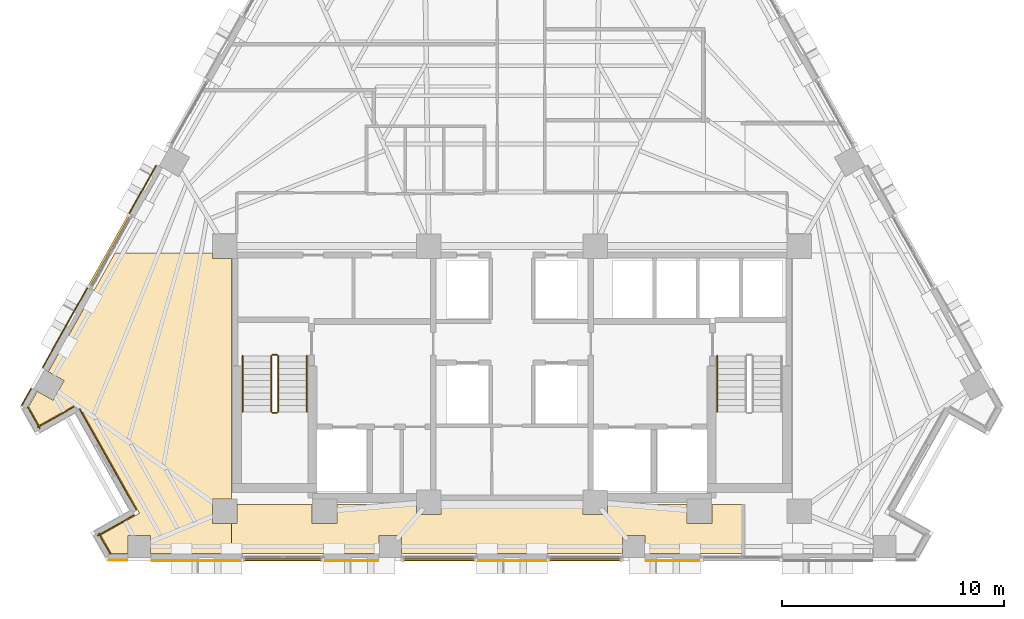
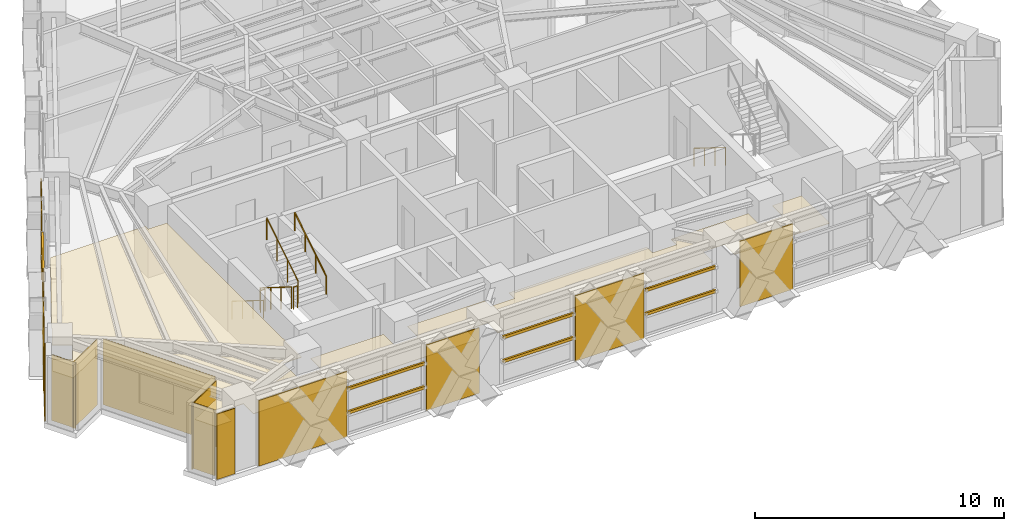
# One storey, part 11 of 14: 15 coverings, 8 shading devices, 7 railings.
"""IFC4 building model written with IfcOpenShell, lengths in metres."""

from ifc_helpers import new_model, si_unit, direction, frame, origin, origin_2d, place, context, subcontext, project, spatial, polyline, rectangle, circle, outline, extrude, material, layer, layer_set, material_profile, profile_set, type_object, element, save


model = new_model("IFC4")

# Units and contexts
model_context = context("Model", 3, precision=1e-05, world=origin(), true_north=direction((0.0, 1.0)))
body_context = subcontext(model_context, "Body", "Model", "MODEL_VIEW")
ifc_project = project(units=[si_unit("LENGTHUNIT", "METRE"), si_unit("AREAUNIT", "SQUARE_METRE"), si_unit("VOLUMEUNIT", "CUBIC_METRE"), si_unit("PLANEANGLEUNIT", "RADIAN"), si_unit("MASSUNIT", "GRAM", prefix="KILO")], contexts=[model_context])

# Site, building, storey
site_placement = place(None, origin())
site = spatial("IfcSite", under=ifc_project, at=site_placement, CompositionType="ELEMENT")
building_placement = place(site_placement, origin())
building = spatial("IfcBuilding", under=site, at=building_placement, Name="Quenlor Broadcast Tower", CompositionType="ELEMENT")
storey_placement = place(building_placement, frame((0.0, 0.0, 133.5)))
storey = spatial("IfcBuildingStorey", under=building, at=storey_placement, Name="L36", CompositionType="ELEMENT", Elevation=133.5)

# Coverings
ifc_material_1 = material(Name="Acoustic Mineral Fibre Board", Category="other")
ifc_layer_1 = layer(ifc_material_1, 0.02490234375)
ifc_layer_set_1 = layer_set([ifc_layer_1], Name="Acoustic Perforated Mineral Tile Ceiling 25")
covering_type_1 = type_object("IfcCoveringType", Name="Acoustic Perforated Mineral Tile Ceiling 25", PredefinedType="CEILING", material=ifc_layer_set_1)
covering_1_placement = place(storey_placement, frame((0.0, 0.0, 2.375)))
element("IfcCovering", 1, at=covering_1_placement, inside=storey, type_object=covering_type_1, Name="L36 Acoustic Ceiling L36-36-2", PredefinedType="CEILING", context=body_context, shape_type="SweptSolid", body=[
    extrude(outline(polyline([(-21.794921875, -12.0400390625), (-21.406982421875, -11.350341796875), (-20.694091796875, -11.751220703125), (-20.19580078125, -10.86572265625), (-20.90869140625, -10.46484375), (-17.90234375, -5.1201171875), (-13.508056640625, -5.1201171875), (-13.508056640625, -5.35791015625), (-12.64990234375, -5.35791015625), (-12.64990234375, -16.19189453125), (-13.508056640625, -16.19189453125), (-13.508056640625, -17.30810546875), (-12.64990234375, -17.30810546875), (-12.64990234375, -18.659912109375), (-16.30029296875, -18.659912109375), (-16.30029296875, -17.842041015625), (-17.31640625, -17.842041015625), (-17.31640625, -18.659912109375), (-18.071044921875, -18.659912109375), (-18.538818359375, -17.82861328125), (-16.795654296875, -16.847900390625), (-19.580322265625, -11.8974609375), (-21.323486328125, -12.878173828125), (-21.794921875, -12.0400390625)])), origin(), (0.0, 0.0, 1.0), 0.02490234375),
])
covering_2_placement = place(storey_placement, frame((0.0, 0.0, 2.375)))
element("IfcCovering", 2, at=covering_2_placement, inside=storey, type_object=covering_type_1, Name="L36 Acoustic Ceiling L36-36-3", PredefinedType="CEILING", context=body_context, shape_type="SweptSolid", body=[
    extrude(outline(polyline([(-12.39208984375, -17.30810546875), (-12.39208984375, -16.449951171875), (-9.008056640625, -16.449951171875), (-9.008056640625, -17.30810546875), (-7.89208984375, -17.30810546875), (-7.89208984375, -16.449951171875), (-4.30810546875, -16.449951171875), (-4.30810546875, -16.907958984375), (-3.19189453125, -16.907958984375), (-3.19189453125, -16.449951171875), (3.19189453125, -16.449951171875), (3.19189453125, -16.907958984375), (4.30810546875, -16.907958984375), (4.30810546875, -16.449951171875), (7.89208984375, -16.449951171875), (7.89208984375, -17.30810546875), (9.008056640625, -17.30810546875), (9.008056640625, -16.449951171875), (10.38525390625, -16.449951171875), (10.38525390625, -18.659912109375), (5.989013671875, -18.659912109375), (5.989013671875, -17.842041015625), (4.972900390625, -17.842041015625), (4.972900390625, -18.659912109375), (-4.972900390625, -18.659912109375), (-4.972900390625, -17.842041015625), (-5.989013671875, -17.842041015625), (-5.989013671875, -18.659912109375), (-12.64990234375, -18.659912109375), (-12.64990234375, -17.30810546875), (-12.39208984375, -17.30810546875)])), origin(), (0.0, 0.0, 1.0), 0.02490234375),
])

# Shading devices
ifc_material_2 = material(Name="Architectural Terracotta Ceramic", Category="masonry")
ifc_material_profile = material_profile(ifc_material_2, rectangle(XDim=0.090087890625, YDim=0.139892578125, at=origin_2d()))
ifc_profile_set = profile_set([ifc_material_profile], Name="Architectural Terracotta Ceramic BAG90x140")
shading_device_type = type_object("IfcShadingDeviceType", Name="Copper Terracotta Baguette Solar Screen 140", PredefinedType="USERDEFINED", material=ifc_profile_set)
for number, where, z_axis, x_axis, name in (
    (3, (-8.550048828125, -18.952880859375, 1.169921875), (-1.0, 0.0, 0.0), (0.0, -1.0, 0.0), "L36 Terracotta Baguette Screen 1"),
    (4, (-8.550048828125, -18.952880859375, 2.340087890625), (-1.0, 0.0, 0.0), (0.0, -1.0, 0.0), "L36 Terracotta Baguette Screen 2"),
):
    element("IfcShadingDevice", number, at=place(storey_placement, frame(where, z_axis=z_axis, x_axis=x_axis)), inside=storey, type_object=shading_device_type, Name=name, ObjectType="BAGUETTE", PredefinedType="USERDEFINED", context=body_context, shape_type="SweptSolid", body=[
        extrude(rectangle(XDim=0.090087890625, YDim=0.139892578125, at=origin_2d()), origin(), (0.0, 0.0, 1.0), 3.56396484375),
    ])
for number, where, z_axis, x_axis, name in (
    (5, (4.926025390625, -18.952880859375, 1.169921875), (-1.0, 0.0, 0.0), (0.0, -1.0, 0.0), "L36 Terracotta Baguette Screen 1"),
    (6, (4.926025390625, -18.952880859375, 2.340087890625), (-1.0, 0.0, 0.0), (0.0, -1.0, 0.0), "L36 Terracotta Baguette Screen 2"),
    (7, (-1.662109375, -18.952880859375, 1.169921875), (-1.0, 0.0, 0.0), (0.0, -1.0, 0.0), "L36 Terracotta Baguette Screen 1"),
    (8, (-1.662109375, -18.952880859375, 2.340087890625), (-1.0, 0.0, 0.0), (0.0, -1.0, 0.0), "L36 Terracotta Baguette Screen 2"),
):
    element("IfcShadingDevice", number, at=place(storey_placement, frame(where, z_axis=z_axis, x_axis=x_axis)), inside=storey, type_object=shading_device_type, Name=name, ObjectType="BAGUETTE", PredefinedType="USERDEFINED", context=body_context, shape_type="SweptSolid", body=[
        extrude(rectangle(XDim=0.090087890625, YDim=0.139892578125, at=origin_2d()), origin(), (0.0, 0.0, 1.0), 3.263916015625),
    ])
for number, where, z_axis, x_axis, name in (
    (9, (-19.079345703125, -6.61474609375, 1.169921875), (0.490258076222, 0.871577316535, 0.0), (-0.871577316535, 0.490258076222, 0.0), "L36 Terracotta Baguette Screen 1"),
    (10, (-19.079345703125, -6.61474609375, 2.340087890625), (0.490258076222, 0.871577316535, 0.0), (-0.871577316535, 0.490258076222, 0.0), "L36 Terracotta Baguette Screen 2"),
):
    element("IfcShadingDevice", number, at=place(storey_placement, frame(where, z_axis=z_axis, x_axis=x_axis)), inside=storey, type_object=shading_device_type, Name=name, ObjectType="BAGUETTE", PredefinedType="USERDEFINED", context=body_context, shape_type="SweptSolid", body=[
        extrude(rectangle(XDim=0.090087890625, YDim=0.139892578125, at=origin_2d()), origin(), (0.0, 0.0, 1.0), 3.6640625),
    ])

# Coverings
ifc_material_3 = material(Name="Architectural Terracotta Ceramic", Category="masonry")
ifc_layer_2 = layer(ifc_material_3, 0.044921875)
ifc_layer_set_2 = layer_set([ifc_layer_2], Name="Fluted Terracotta Rainscreen Cladding Panel")
covering_type_2 = type_object("IfcCoveringType", Name="Fluted Terracotta Rainscreen Cladding Panel", PredefinedType="CLADDING", material=ifc_layer_set_2)
covering_3_placement = place(storey_placement, frame((0.0, 0.0, 0.02001953125)))
element("IfcCovering", 11, at=covering_3_placement, inside=storey, type_object=covering_type_2, Name="L36 Terracotta Rainscreen Cladding L36-SHD-SS1", PredefinedType="CLADDING", context=body_context, shape_type="SweptSolid", body=[
    extrude(outline(polyline([(-17.343505859375, -18.93701171875), (-18.179931640625, -18.93701171875), (-18.179931640625, -18.98193359375), (-17.343505859375, -18.98193359375), (-17.343505859375, -18.93701171875)])), origin(), (0.0, 0.0, 1.0), 3.2099609375),
])
covering_4_placement = place(storey_placement, frame((0.0, 0.0, 0.02001953125)))
element("IfcCovering", 12, at=covering_4_placement, inside=storey, type_object=covering_type_2, Name="L36 Terracotta Rainscreen Cladding L36-SA-SP2", PredefinedType="CLADDING", context=body_context, shape_type="SweptSolid", body=[
    extrude(outline(polyline([(8.485107421875, -18.95703125), (6.035888671875, -18.95703125), (6.035888671875, -19.001953125), (8.485107421875, -19.001953125), (8.485107421875, -18.95703125)])), origin(), (0.0, 0.0, 1.0), 3.2099609375),
])
covering_5_placement = place(storey_placement, frame((0.0, 0.0, 0.02001953125)))
element("IfcCovering", 13, at=covering_5_placement, inside=storey, type_object=covering_type_2, Name="L36 Terracotta Rainscreen Cladding L36-SC-SP1", PredefinedType="CLADDING", context=body_context, shape_type="SweptSolid", body=[
    extrude(outline(polyline([(-6.035888671875, -18.95703125), (-8.485107421875, -18.95703125), (-8.485107421875, -19.001953125), (-6.035888671875, -19.001953125), (-6.035888671875, -18.95703125)])), origin(), (0.0, 0.0, 1.0), 3.2099609375),
])
covering_6_placement = place(storey_placement, frame((0.0, 0.0, 0.02001953125)))
element("IfcCovering", 14, at=covering_6_placement, inside=storey, type_object=covering_type_2, Name="L36 Terracotta Rainscreen Cladding L36-SC-SP2", PredefinedType="CLADDING", context=body_context, shape_type="SweptSolid", body=[
    extrude(outline(polyline([(-12.178955078125, -18.95703125), (-16.25341796875, -18.95703125), (-16.25341796875, -19.001953125), (-12.178955078125, -19.001953125), (-12.178955078125, -18.95703125)])), origin(), (0.0, 0.0, 1.0), 3.2099609375),
])
covering_7_placement = place(storey_placement, frame((0.0, 0.0, 0.02001953125)))
element("IfcCovering", 15, at=covering_7_placement, inside=storey, type_object=covering_type_2, Name="L36 Terracotta Rainscreen Cladding L36-S-SP1", PredefinedType="CLADDING", context=body_context, shape_type="SweptSolid", body=[
    extrude(outline(polyline([(1.596923828125, -18.95703125), (-1.596923828125, -18.95703125), (-1.596923828125, -19.001953125), (1.596923828125, -19.001953125), (1.596923828125, -18.95703125)])), origin(), (0.0, 0.0, 1.0), 3.2099609375),
])
covering_8_placement = place(storey_placement, frame((0.0, 0.0, 0.02001953125)))
element("IfcCovering", 16, at=covering_8_placement, inside=storey, type_object=covering_type_2, Name="L36 Terracotta Rainscreen Cladding L36-SHD-NWS0", PredefinedType="CLADDING", context=body_context, shape_type="SweptSolid", body=[
    extrude(outline(polyline([(-22.0859375, -11.992431640625), (-21.66162109375, -11.23779296875), (-21.70068359375, -11.2158203125), (-22.125244140625, -11.970458984375), (-22.0859375, -11.992431640625)])), origin(), (0.0, 0.0, 1.0), 3.2099609375),
])
covering_9_placement = place(storey_placement, frame((0.0, 0.0, 0.02001953125)))
element("IfcCovering", 17, at=covering_9_placement, inside=storey, type_object=covering_type_2, Name="L36 Terracotta Rainscreen Cladding L36-NWA-SP1", PredefinedType="CLADDING", context=body_context, shape_type="SweptSolid", body=[
    extrude(outline(polyline([(-21.14453125, -10.278076171875), (-19.11474609375, -6.66943359375), (-19.154052734375, -6.6474609375), (-21.183837890625, -10.256103515625), (-21.14453125, -10.278076171875)])), origin(), (0.0, 0.0, 1.0), 3.2099609375),
])
covering_10_placement = place(storey_placement, frame((0.0, 0.0, 0.02001953125)))
element("IfcCovering", 18, at=covering_10_placement, inside=storey, type_object=covering_type_2, Name="L36 Terracotta Rainscreen Cladding L36-NWA-SP2", PredefinedType="CLADDING", context=body_context, shape_type="SweptSolid", body=[
    extrude(outline(polyline([(-17.254638671875, -3.362548828125), (-16.025146484375, -1.1767578125), (-16.064453125, -1.15478515625), (-17.2939453125, -3.340576171875), (-17.254638671875, -3.362548828125)])), origin(), (0.0, 0.0, 1.0), 3.2099609375),
])
covering_11_placement = place(storey_placement, frame((0.0, 0.0, 0.02001953125)))
element("IfcCovering", 19, at=covering_11_placement, inside=storey, type_object=covering_type_2, Name="L36 Terracotta Rainscreen Cladding L36-CNR-12", PredefinedType="CLADDING", context=body_context, shape_type="SweptSolid", body=[
    extrude(outline(polyline([(-21.864501953125, -12.0546875), (-21.309326171875, -13.0419921875), (-21.27001953125, -13.02001953125), (-21.825439453125, -12.03271484375), (-21.864501953125, -12.0546875)])), origin(), (0.0, 0.0, 1.0), 3.2099609375),
])
covering_12_placement = place(storey_placement, frame((0.0, 0.0, 0.02001953125)))
element("IfcCovering", 20, at=covering_12_placement, inside=storey, type_object=covering_type_2, Name="L36 Terracotta Rainscreen Cladding L36-CNR-13", PredefinedType="CLADDING", context=body_context, shape_type="SweptSolid", body=[
    extrude(outline(polyline([(-21.385986328125, -12.9912109375), (-19.72998046875, -12.059814453125), (-19.752197265625, -12.0205078125), (-21.408203125, -12.9521484375), (-21.385986328125, -12.9912109375)])), origin(), (0.0, 0.0, 1.0), 3.2099609375),
])
covering_13_placement = place(storey_placement, frame((0.0, 0.0, 0.02001953125)))
element("IfcCovering", 21, at=covering_13_placement, inside=storey, type_object=covering_type_2, Name="L36 Terracotta Rainscreen Cladding L36-CNR-14", PredefinedType="CLADDING", context=body_context, shape_type="SweptSolid", body=[
    extrude(outline(polyline([(-19.51708984375, -12.148681640625), (-16.9580078125, -16.6982421875), (-16.918701171875, -16.67626953125), (-19.477783203125, -12.126708984375), (-19.51708984375, -12.148681640625)])), origin(), (0.0, 0.0, 1.0), 3.2099609375),
])
covering_14_placement = place(storey_placement, frame((0.0, 0.0, 0.02001953125)))
element("IfcCovering", 22, at=covering_14_placement, inside=storey, type_object=covering_type_2, Name="L36 Terracotta Rainscreen Cladding L36-CNR-15", PredefinedType="CLADDING", context=body_context, shape_type="SweptSolid", body=[
    extrude(outline(polyline([(-17.046875, -16.911376953125), (-18.702880859375, -17.8427734375), (-18.680908203125, -17.882080078125), (-17.02490234375, -16.950439453125), (-17.046875, -16.911376953125)])), origin(), (0.0, 0.0, 1.0), 3.2099609375),
])
covering_15_placement = place(storey_placement, frame((0.0, 0.0, 0.02001953125)))
element("IfcCovering", 23, at=covering_15_placement, inside=storey, type_object=covering_type_2, Name="L36 Terracotta Rainscreen Cladding L36-CNR-16", PredefinedType="CLADDING", context=body_context, shape_type="SweptSolid", body=[
    extrude(outline(polyline([(-18.652099609375, -17.76611328125), (-18.127685546875, -18.697998046875), (-18.088623046875, -18.67578125), (-18.61279296875, -17.743896484375), (-18.652099609375, -17.76611328125)])), origin(), (0.0, 0.0, 1.0), 3.2099609375),
])

# Railings
ifc_material_4 = material(Name="Anodised Aluminium", Category="aluminium")
railing_type_1 = type_object("IfcRailingType", Name="Stainless Aluminium Wall Handrail 900", PredefinedType="HANDRAIL", material=ifc_material_4)
railing_1_placement = place(storey_placement, frame((-12.14990234375, -9.75, 0.175048828125)))
element("IfcRailing", 24, at=railing_1_placement, inside=storey, type_object=railing_type_1, Name="L36 ST-1 stair handrail 1", PredefinedType="HANDRAIL", context=body_context, shape_type="SweptSolid", body=[
    extrude(circle(Radius=0.02392578125, at=origin_2d()), frame((0.0, 0.0, 0.8759765625), z_axis=(0.0, -0.848007534815, 0.529984170421), x_axis=(1.0, 0.0, 0.0)), (0.0, 0.0, 1.0), 2.9716796875),
    extrude(circle(Radius=0.02099609375, at=origin_2d()), origin(), (0.0, 0.0, 1.0), 0.851806640625),
    extrude(circle(Radius=0.02099609375, at=origin_2d()), frame((0.0, -0.840087890625, 0.52490234375)), (0.0, 0.0, 1.0), 0.851806640625),
    extrude(circle(Radius=0.02099609375, at=origin_2d()), frame((0.0, -1.679931640625, 1.050048828125)), (0.0, 0.0, 1.0), 0.851806640625),
    extrude(circle(Radius=0.02099609375, at=origin_2d()), frame((0.0, -2.52001953125, 1.574951171875)), (0.0, 0.0, 1.0), 0.851806640625),
])
railing_2_placement = place(storey_placement, frame((-9.25, -12.27001953125, 1.925048828125)))
element("IfcRailing", 25, at=railing_2_placement, inside=storey, type_object=railing_type_1, Name="L36 ST-1 stair handrail 2", PredefinedType="HANDRAIL", context=body_context, shape_type="SweptSolid", body=[
    extrude(circle(Radius=0.02392578125, at=origin_2d()), frame((0.0, 0.0, 0.8759765625), z_axis=(0.0, 0.848007534815, 0.529984170421), x_axis=(-1.0, 0.0, 0.0)), (0.0, 0.0, 1.0), 2.9716796875),
    extrude(circle(Radius=0.02099609375, at=origin_2d()), origin(), (0.0, 0.0, 1.0), 0.851806640625),
    extrude(circle(Radius=0.02099609375, at=origin_2d()), frame((0.0, 0.840087890625, 0.52490234375)), (0.0, 0.0, 1.0), 0.851806640625),
    extrude(circle(Radius=0.02099609375, at=origin_2d()), frame((0.0, 1.679931640625, 1.050048828125)), (0.0, 0.0, 1.0), 0.851806640625),
    extrude(circle(Radius=0.02099609375, at=origin_2d()), frame((0.0, 2.52001953125, 1.574951171875)), (0.0, 0.0, 1.0), 0.851806640625),
])
railing_3_placement = place(storey_placement, frame((9.25, -9.75, 0.175048828125)))
element("IfcRailing", 26, at=railing_3_placement, inside=storey, type_object=railing_type_1, Name="L36 ST-2 stair handrail 1", PredefinedType="HANDRAIL", context=body_context, shape_type="SweptSolid", body=[
    extrude(circle(Radius=0.02392578125, at=origin_2d()), frame((0.0, 0.0, 0.8759765625), z_axis=(0.0, -0.848007534815, 0.529984170421), x_axis=(1.0, 0.0, 0.0)), (0.0, 0.0, 1.0), 2.9716796875),
    extrude(circle(Radius=0.02099609375, at=origin_2d()), origin(), (0.0, 0.0, 1.0), 0.851806640625),
    extrude(circle(Radius=0.02099609375, at=origin_2d()), frame((0.0, -0.840087890625, 0.52490234375)), (0.0, 0.0, 1.0), 0.851806640625),
    extrude(circle(Radius=0.02099609375, at=origin_2d()), frame((0.0, -1.679931640625, 1.050048828125)), (0.0, 0.0, 1.0), 0.851806640625),
    extrude(circle(Radius=0.02099609375, at=origin_2d()), frame((0.0, -2.52001953125, 1.574951171875)), (0.0, 0.0, 1.0), 0.851806640625),
])
ifc_material_5 = material(Name="Steel S355", Category="steel")
railing_type_2 = type_object("IfcRailingType", Name="Tubular Steel S355 Stair Guardrail 1100", PredefinedType="BALUSTRADE", material=ifc_material_5)
railing_4_placement = place(storey_placement, frame((-10.85009765625, -9.75, 0.175048828125)))
element("IfcRailing", 27, at=railing_4_placement, inside=storey, type_object=railing_type_2, Name="L36 ST-1 stair guard 1", PredefinedType="BALUSTRADE", context=body_context, shape_type="SweptSolid", body=[
    extrude(circle(Radius=0.02392578125, at=origin_2d()), frame((0.0, 0.0, 1.076171875), z_axis=(0.0, -0.848007534815, 0.529984170421), x_axis=(1.0, 0.0, 0.0)), (0.0, 0.0, 1.0), 2.9716796875),
    extrude(circle(Radius=0.02099609375, at=origin_2d()), origin(), (0.0, 0.0, 1.0), 1.052001953125),
    extrude(circle(Radius=0.02099609375, at=origin_2d()), frame((0.0, -0.840087890625, 0.52490234375)), (0.0, 0.0, 1.0), 1.052001953125),
    extrude(circle(Radius=0.02099609375, at=origin_2d()), frame((0.0, -1.679931640625, 1.050048828125)), (0.0, 0.0, 1.0), 1.052001953125),
    extrude(circle(Radius=0.02099609375, at=origin_2d()), frame((0.0, -2.52001953125, 1.574951171875)), (0.0, 0.0, 1.0), 1.052001953125),
])
railing_5_placement = place(storey_placement, frame((-10.800048828125, -12.320068359375, 1.75)))
element("IfcRailing", 28, at=railing_5_placement, inside=storey, type_object=railing_type_2, Name="L36 ST-1 stair guard 2", PredefinedType="BALUSTRADE", context=body_context, shape_type="SweptSolid", body=[
    extrude(circle(Radius=0.02392578125, at=origin_2d()), frame((0.0, 0.0, 1.076171875), z_axis=(1.0, 0.0, 0.0), x_axis=(0.0, 1.0, 0.0)), (0.0, 0.0, 1.0), 0.199951171875),
    extrude(circle(Radius=0.02099609375, at=origin_2d()), origin(), (0.0, 0.0, 1.0), 1.052001953125),
    extrude(circle(Radius=0.02099609375, at=origin_2d()), frame((0.199951171875, 0.0, 0.0)), (0.0, 0.0, 1.0), 1.052001953125),
])
railing_6_placement = place(storey_placement, frame((-10.550048828125, -12.27001953125, 1.925048828125)))
element("IfcRailing", 29, at=railing_6_placement, inside=storey, type_object=railing_type_2, Name="L36 ST-1 stair guard 3", PredefinedType="BALUSTRADE", context=body_context, shape_type="SweptSolid", body=[
    extrude(circle(Radius=0.02392578125, at=origin_2d()), frame((0.0, 0.0, 1.076171875), z_axis=(0.0, 0.848007534815, 0.529984170421), x_axis=(-1.0, 0.0, 0.0)), (0.0, 0.0, 1.0), 2.9716796875),
    extrude(circle(Radius=0.02099609375, at=origin_2d()), origin(), (0.0, 0.0, 1.0), 1.052001953125),
    extrude(circle(Radius=0.02099609375, at=origin_2d()), frame((0.0, 0.840087890625, 0.52490234375)), (0.0, 0.0, 1.0), 1.052001953125),
    extrude(circle(Radius=0.02099609375, at=origin_2d()), frame((0.0, 1.679931640625, 1.050048828125)), (0.0, 0.0, 1.0), 1.052001953125),
    extrude(circle(Radius=0.02099609375, at=origin_2d()), frame((0.0, 2.52001953125, 1.574951171875)), (0.0, 0.0, 1.0), 1.052001953125),
])
railing_7_placement = place(storey_placement, frame((-10.800048828125, -9.699951171875, 0.0)))
element("IfcRailing", 30, at=railing_7_placement, inside=storey, type_object=railing_type_2, Name="L36 ST-1 stair guard 4", PredefinedType="BALUSTRADE", context=body_context, shape_type="SweptSolid", body=[
    extrude(circle(Radius=0.02392578125, at=origin_2d()), frame((0.0, 0.0, 1.076171875), z_axis=(1.0, 0.0, 0.0), x_axis=(0.0, 1.0, 0.0)), (0.0, 0.0, 1.0), 0.199951171875),
    extrude(circle(Radius=0.02099609375, at=origin_2d()), origin(), (0.0, 0.0, 1.0), 1.052001953125),
    extrude(circle(Radius=0.02099609375, at=origin_2d()), frame((0.199951171875, 0.0, 0.0)), (0.0, 0.0, 1.0), 1.052001953125),
])

save(model, "model.ifc")
